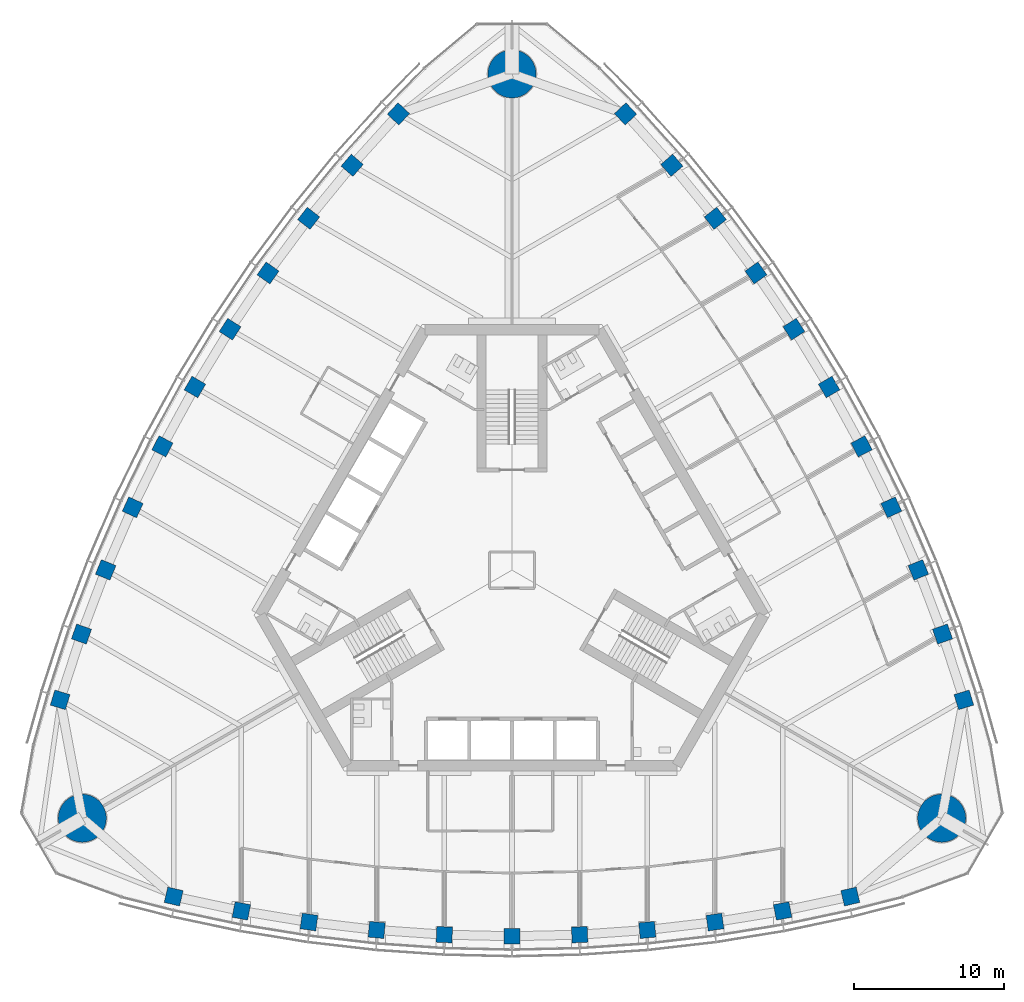
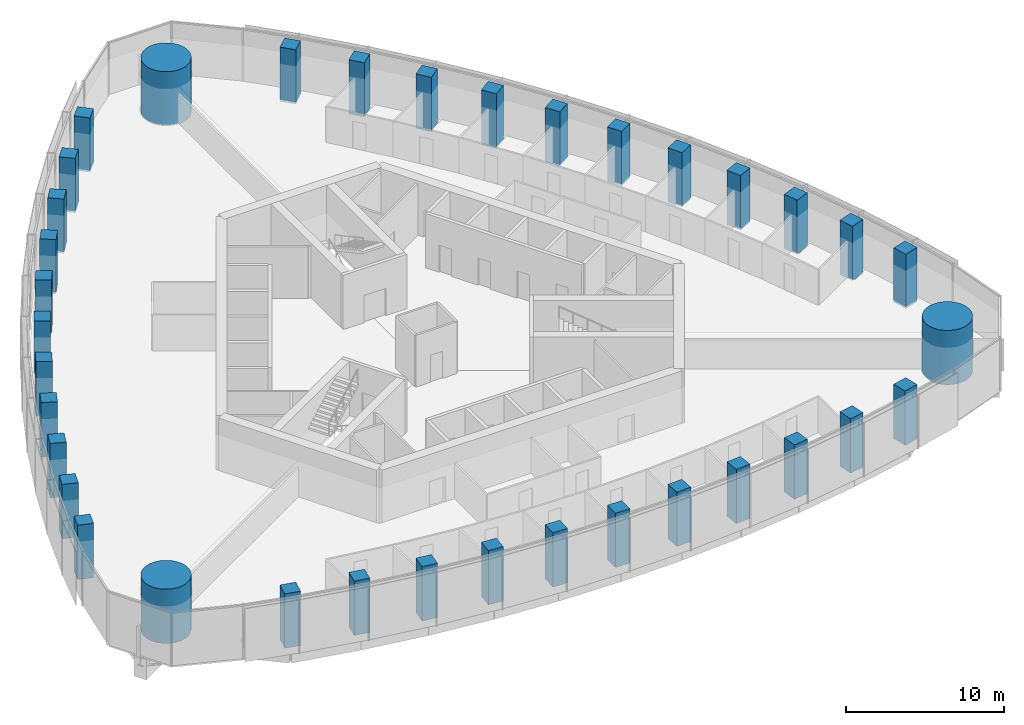
# One storey, part 1 of 19: 36 columns.
"""IFC4 building model written with IfcOpenShell, lengths in metres."""

from ifc_helpers import new_model, si_unit, direction, frame, origin, origin_2d, place, context, subcontext, project, spatial, rectangle, circle, extrude, material, material_profile, profile_set, type_object, element, save


model = new_model("IFC4")

# Units and contexts
model_context = context("Model", 3, precision=1e-05, world=origin(), true_north=direction((0.0, 1.0)))
body_context = subcontext(model_context, "Body", "Model", "MODEL_VIEW")
ifc_project = project(units=[si_unit("LENGTHUNIT", "METRE"), si_unit("AREAUNIT", "SQUARE_METRE"), si_unit("VOLUMEUNIT", "CUBIC_METRE"), si_unit("PLANEANGLEUNIT", "RADIAN"), si_unit("MASSUNIT", "GRAM", prefix="KILO")], contexts=[model_context])

# Site, building, storey
site_placement = place(None, origin())
site = spatial("IfcSite", under=ifc_project, at=site_placement, CompositionType="ELEMENT")
building_placement = place(site_placement, origin())
building = spatial("IfcBuilding", under=site, at=building_placement, Name="Trefoil Bronze Tower", CompositionType="ELEMENT")
storey_placement = place(building_placement, frame((0.0, 0.0, 235.89990234375)))
storey = spatial("IfcBuildingStorey", under=building, at=storey_placement, Name="L54", CompositionType="ELEMENT", Elevation=235.89990234375)

# Columns
ifc_material_1 = material(Name="Concrete B80", Category="concrete")
ifc_material_profile_1 = material_profile(ifc_material_1, circle(Radius=1.60009765625, at=origin_2d()), Name="RC D3200")
ifc_profile_set_1 = profile_set([ifc_material_profile_1], Name="Concrete B80")
column_type_1 = type_object("IfcColumnType", Name="Mega column RC D3200", PredefinedType="COLUMN", material=ifc_profile_set_1)
for number, where, z_axis, x_axis, name in (
    (1, (28.578857421875, -16.5, 0.0), (0.0, 0.0, 1.0), (1.0, 0.0, 0.0), "Mega column K1 L54"),
    (2, (0.0, 33.0, 0.0), (0.0, 0.0, 1.0), (1.0, 0.0, 0.0), "Mega column K2 L54"),
    (3, (-28.578857421875, -16.5, 0.0), (0.0, 0.0, 1.0), (1.0, 0.0, 0.0), "Mega column K3 L54"),
):
    element("IfcColumn", number, at=place(storey_placement, frame(where, z_axis=z_axis, x_axis=x_axis)), inside=storey, type_object=column_type_1, Name=name, PredefinedType="COLUMN", context=body_context, shape_type="SweptSolid", body=[
        extrude(circle(Radius=1.60009765625, at=origin_2d()), origin(), (0.0, 0.0, 1.0), 4.2001953125),
    ])
ifc_material_2 = material(Name="Concrete B80", Category="concrete")
ifc_material_profile_2 = material_profile(ifc_material_2, rectangle(XDim=1.050048828125, YDim=1.050048828125, at=origin_2d()), Name="RC 1050x1050")
ifc_profile_set_2 = profile_set([ifc_material_profile_2], Name="Concrete B80")
column_type_2 = type_object("IfcColumnType", Name="Tube column RC 1050x1050", PredefinedType="COLUMN", material=ifc_profile_set_2)
for number, where, z_axis, x_axis, name in (
    (4, (-22.5, -21.71044921875, 0.0), (0.0, 0.0, 1.0), (0.973875487093, -0.227082662569, 0.0), "Tube column F1/-5 L54"),
    (5, (-18.0, -22.6689453125, 0.0), (0.0, 0.0, 1.0), (0.982958917767, -0.183825368167, 0.0), "Tube column F1/-4 L54"),
    (6, (-13.5, -23.408447265625, 0.0), (0.0, 0.0, 1.0), (0.990450627582, -0.137867887204, 0.0), "Tube column F1/-3 L54"),
    (7, (-9.0, -23.932861328125, 0.0), (0.0, 0.0, 1.0), (0.995767189263, -0.091911396394, 0.0), "Tube column F1/-2 L54"),
    (8, (-4.5, -24.246337890625, 0.0), (0.0, 0.0, 1.0), (0.998943485952, -0.045955542372, 0.0), "Tube column F1/-1 L54"),
    (9, (0.0, -24.3505859375, 0.0), (0.0, 0.0, 1.0), (1.0, 0.0, 0.0), "Tube column F1/+0 L54"),
    (10, (4.5, -24.246337890625, 0.0), (0.0, 0.0, 1.0), (0.998943485952, 0.045955542372, 0.0), "Tube column F1/+1 L54"),
    (11, (9.0, -23.932861328125, 0.0), (0.0, 0.0, 1.0), (0.995767189263, 0.091911396394, 0.0), "Tube column F1/+2 L54"),
    (12, (13.5, -23.408447265625, 0.0), (0.0, 0.0, 1.0), (0.990450627582, 0.137867887204, 0.0), "Tube column F1/+3 L54"),
    (13, (18.0, -22.6689453125, 0.0), (0.0, 0.0, 1.0), (0.982958917767, 0.183825368167, 0.0), "Tube column F1/+4 L54"),
    (14, (22.5, -21.71044921875, 0.0), (0.0, 0.0, 1.0), (0.973875487093, 0.227082662569, 0.0), "Tube column F1/+5 L54"),
    (15, (30.052001953125, -8.63037109375, 0.0), (0.0, 0.0, 1.0), (-0.290278389002, 0.95694224323, 0.0), "Tube column F2/-5 L54"),
    (16, (28.632080078125, -4.25390625, 0.0), (0.0, 0.0, 1.0), (-0.332282020191, 0.943180077746, 0.0), "Tube column F2/-4 L54"),
    (17, (27.022216796875, 0.012939453125, 0.0), (0.0, 0.0, 1.0), (-0.375828221106, 0.926689348282, 0.0), "Tube column F2/-3 L54"),
    (18, (25.2265625, 4.17236328125, 0.0), (0.0, 0.0, 1.0), (-0.418285990457, 0.908315380354, 0.0), "Tube column F2/-2 L54"),
    (19, (23.248046875, 8.22607421875, 0.0), (0.0, 0.0, 1.0), (-0.459673075837, 0.888088206965, 0.0), "Tube column F2/-1 L54"),
    (20, (21.08837890625, 12.17529296875, 0.0), (0.0, 0.0, 1.0), (-0.5, 0.866025403784, 0.0), "Tube column F2/+0 L54"),
    (21, (18.748046875, 16.020263671875, 0.0), (0.0, 0.0, 1.0), (-0.539270410114, 0.842132664593, 0.0), "Tube column F2/+1 L54"),
    (22, (16.2265625, 19.7607421875, 0.0), (0.0, 0.0, 1.0), (-0.577481198806, 0.81640398396, 0.0), "Tube column F2/+2 L54"),
    (23, (13.522216796875, 23.3955078125, 0.0), (0.0, 0.0, 1.0), (-0.614622406476, 0.788821461078, 0.0), "Tube column F2/+3 L54"),
    (24, (10.632080078125, 26.923095703125, 0.0), (0.0, 0.0, 1.0), (-0.650676897576, 0.75935470958, 0.0), "Tube column F2/+4 L54"),
    (25, (7.552001953125, 30.3408203125, 0.0), (0.0, 0.0, 1.0), (-0.683597098091, 0.729859580661, 0.0), "Tube column F2/+5 L54"),
    (26, (-7.552001953125, 30.3408203125, 0.0), (0.0, 0.0, 1.0), (-0.683597098091, -0.729859580661, 0.0), "Tube column F3/-5 L54"),
    (27, (-10.632080078125, 26.923095703125, 0.0), (0.0, 0.0, 1.0), (-0.650676897576, -0.75935470958, 0.0), "Tube column F3/-4 L54"),
    (28, (-13.522216796875, 23.3955078125, 0.0), (0.0, 0.0, 1.0), (-0.614622406476, -0.788821461078, 0.0), "Tube column F3/-3 L54"),
    (29, (-16.2265625, 19.7607421875, 0.0), (0.0, 0.0, 1.0), (-0.577481198806, -0.81640398396, 0.0), "Tube column F3/-2 L54"),
    (30, (-18.748046875, 16.020263671875, 0.0), (0.0, 0.0, 1.0), (-0.539270410114, -0.842132664593, 0.0), "Tube column F3/-1 L54"),
    (31, (-21.08837890625, 12.17529296875, 0.0), (0.0, 0.0, 1.0), (-0.5, -0.866025403784, 0.0), "Tube column F3/+0 L54"),
    (32, (-23.248046875, 8.22607421875, 0.0), (0.0, 0.0, 1.0), (-0.459673075837, -0.888088206965, 0.0), "Tube column F3/+1 L54"),
    (33, (-25.2265625, 4.17236328125, 0.0), (0.0, 0.0, 1.0), (-0.418285990457, -0.908315380354, 0.0), "Tube column F3/+2 L54"),
    (34, (-27.022216796875, 0.012939453125, 0.0), (0.0, 0.0, 1.0), (-0.375828221106, -0.926689348282, 0.0), "Tube column F3/+3 L54"),
    (35, (-28.632080078125, -4.25390625, 0.0), (0.0, 0.0, 1.0), (-0.332282020191, -0.943180077746, 0.0), "Tube column F3/+4 L54"),
    (36, (-30.052001953125, -8.63037109375, 0.0), (0.0, 0.0, 1.0), (-0.290278389002, -0.95694224323, 0.0), "Tube column F3/+5 L54"),
):
    element("IfcColumn", number, at=place(storey_placement, frame(where, z_axis=z_axis, x_axis=x_axis)), inside=storey, type_object=column_type_2, Name=name, PredefinedType="COLUMN", context=body_context, shape_type="SweptSolid", body=[
        extrude(rectangle(XDim=1.050048828125, YDim=1.050048828125, at=origin_2d()), origin(), (0.0, 0.0, 1.0), 4.2001953125),
    ])

save(model, "model.ifc")
